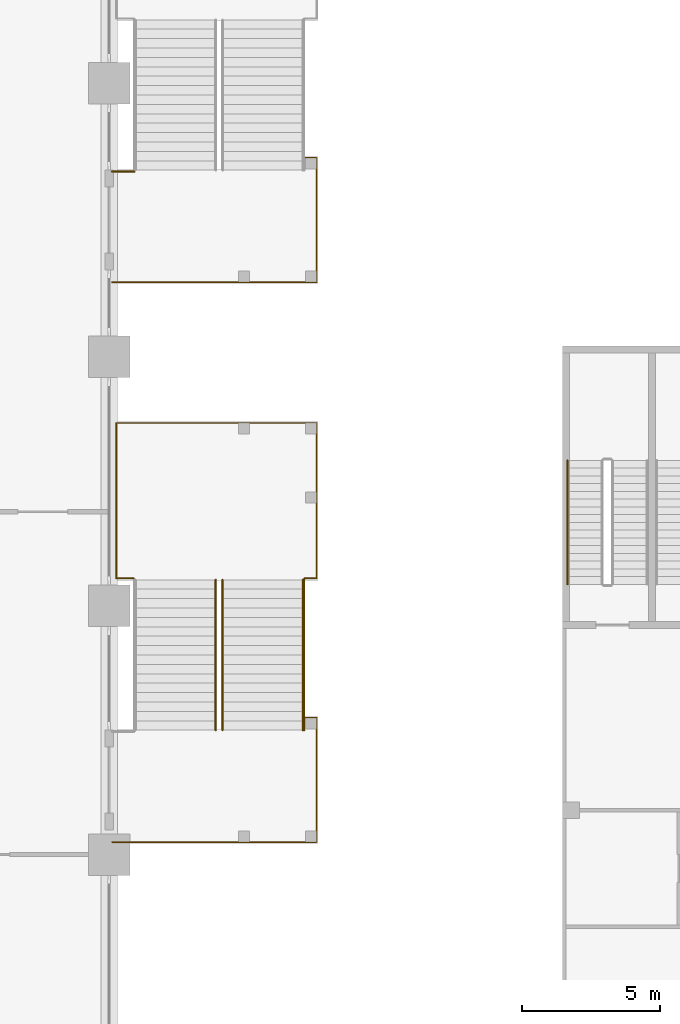
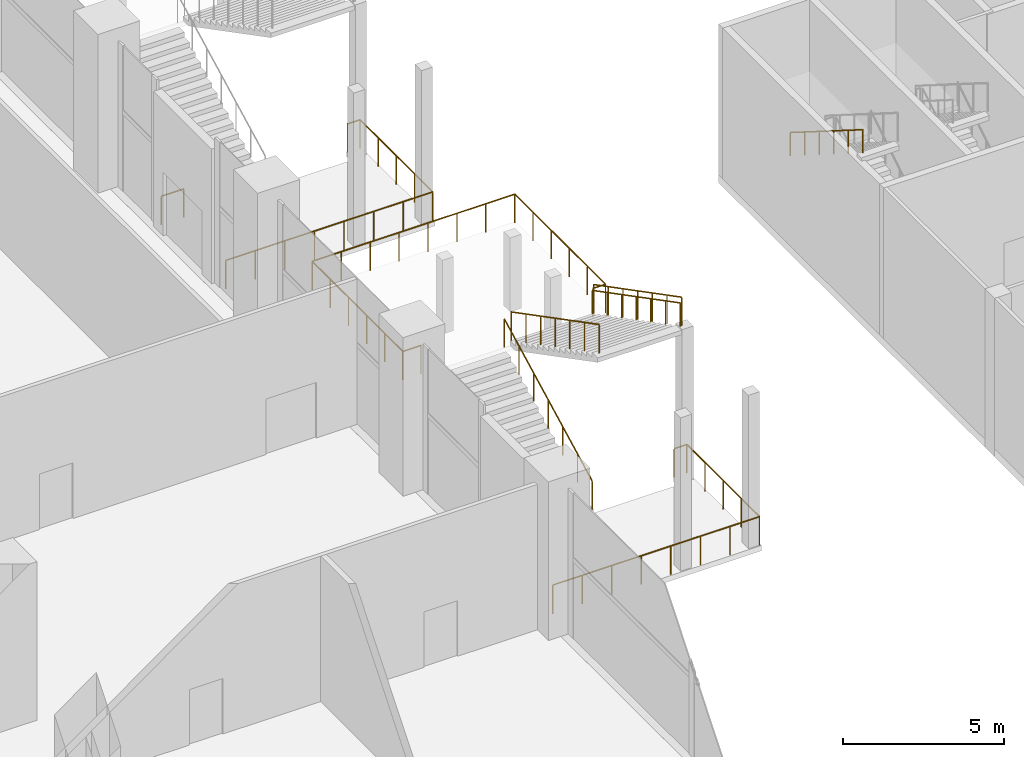
# One storey, part 38 of 47: 9 railings.
"""IFC4 building model written with IfcOpenShell, lengths in metres."""

from ifc_helpers import new_model, si_unit, direction, frame, origin, origin_2d, place, context, subcontext, project, spatial, circle, extrude, material, type_object, element, save


model = new_model("IFC4")

# Units and contexts
model_context = context("Model", 3, precision=1e-05, world=origin(), true_north=direction((0.0, 1.0)))
body_context = subcontext(model_context, "Body", "Model", "MODEL_VIEW")
ifc_project = project(units=[si_unit("LENGTHUNIT", "METRE"), si_unit("AREAUNIT", "SQUARE_METRE"), si_unit("VOLUMEUNIT", "CUBIC_METRE"), si_unit("PLANEANGLEUNIT", "RADIAN"), si_unit("MASSUNIT", "GRAM", prefix="KILO")], contexts=[model_context])

# Site, building, storey
site_placement = place(None, origin())
site = spatial("IfcSite", under=ifc_project, at=site_placement, CompositionType="ELEMENT")
building_placement = place(site_placement, origin())
building = spatial("IfcBuilding", under=site, at=building_placement, Name="Candeia Pilgrim Tower and Theatre", CompositionType="ELEMENT")
storey_placement = place(building_placement, frame((0.0, 0.0, 23.0)))
storey = spatial("IfcBuildingStorey", under=building, at=storey_placement, Name="L03", CompositionType="ELEMENT", Elevation=23.0)

# Railings
ifc_material_1 = material(Name="Steel S355", Category="steel")
railing_type_1 = type_object("IfcRailingType", Name="Handrail 900 steel", PredefinedType="HANDRAIL", material=ifc_material_1)
railing_1_placement = place(storey_placement, frame((176.175048828125, 112.2548828125, 3.176513671875)))
element("IfcRailing", 1, at=railing_1_placement, inside=storey, type_object=railing_type_1, Name="L03 TS1 stair handrail 2", PredefinedType="HANDRAIL", context=body_context, shape_type="SweptSolid", body=[
    extrude(circle(Radius=0.02392578125, at=origin_2d()), frame((0.0, 0.0, 0.8759765625), z_axis=(0.0, -0.845997938375, 0.533186166611), x_axis=(1.0, 0.0, 0.0)), (0.0, 0.0, 1.0), 5.29541015625),
    extrude(circle(Radius=0.02099609375, at=origin_2d()), origin(), (0.0, 0.0, 1.0), 0.851806640625),
    extrude(circle(Radius=0.02099609375, at=origin_2d()), frame((0.0, -0.89599609375, 0.564697265625)), (0.0, 0.0, 1.0), 0.851806640625),
    extrude(circle(Radius=0.02099609375, at=origin_2d()), frame((0.0, -1.7919921875, 1.12939453125)), (0.0, 0.0, 1.0), 0.851806640625),
    extrude(circle(Radius=0.02099609375, at=origin_2d()), frame((0.0, -2.68798828125, 1.694091796875)), (0.0, 0.0, 1.0), 0.851806640625),
    extrude(circle(Radius=0.02099609375, at=origin_2d()), frame((0.0, -3.583984375, 2.2587890625)), (0.0, 0.0, 1.0), 0.851806640625),
    extrude(circle(Radius=0.02099609375, at=origin_2d()), frame((0.0, -4.47998046875, 2.823486328125)), (0.0, 0.0, 1.0), 0.851806640625),
])
ifc_material_2 = material(Name="Stainless steel balustrade", Category="steel")
railing_type_2 = type_object("IfcRailingType", Name="RL-GUARD-1100", PredefinedType="GUARDRAIL", material=ifc_material_2)
railing_2_placement = place(storey_placement, frame((163.449951171875, 102.5, 0.176513671875)))
element("IfcRailing", 2, at=railing_2_placement, inside=storey, type_object=railing_type_2, Name="L03 ES1 stair guard 1", PredefinedType="GUARDRAIL", context=body_context, shape_type="SweptSolid", body=[
    extrude(circle(Radius=0.02392578125, at=origin_2d()), frame((0.0, 0.0, 1.076171875), z_axis=(0.0, 0.887569374008, 0.460674078198), x_axis=(-1.0, 0.0, 0.0)), (0.0, 0.0, 1.0), 6.129150390625),
    extrude(circle(Radius=0.02099609375, at=origin_2d()), origin(), (0.0, 0.0, 1.0), 1.052001953125),
    extrude(circle(Radius=0.02099609375, at=origin_2d()), frame((0.0, 0.90673828125, 0.470703125)), (0.0, 0.0, 1.0), 1.052001953125),
    extrude(circle(Radius=0.02099609375, at=origin_2d()), frame((0.0, 1.813232421875, 0.941162109375)), (0.0, 0.0, 1.0), 1.052001953125),
    extrude(circle(Radius=0.02099609375, at=origin_2d()), frame((0.0, 2.719970703125, 1.41162109375)), (0.0, 0.0, 1.0), 1.052001953125),
    extrude(circle(Radius=0.02099609375, at=origin_2d()), frame((0.0, 3.626708984375, 1.88232421875)), (0.0, 0.0, 1.0), 1.052001953125),
    extrude(circle(Radius=0.02099609375, at=origin_2d()), frame((0.0, 4.533203125, 2.35302734375)), (0.0, 0.0, 1.0), 1.052001953125),
    extrude(circle(Radius=0.02099609375, at=origin_2d()), frame((0.0, 5.43994140625, 2.823486328125)), (0.0, 0.0, 1.0), 1.052001953125),
])
for number, where, name in (
    (3, (163.699951171875, 107.93994140625, 3.176513671875), "L03 ES1 stair guard 2"),
    (4, (166.64990234375, 107.93994140625, 3.176513671875), "L03 ES1 stair guard 4"),
):
    element("IfcRailing", number, at=place(storey_placement, frame(where)), inside=storey, type_object=railing_type_2, Name=name, PredefinedType="GUARDRAIL", context=body_context, shape_type="SweptSolid", body=[
        extrude(circle(Radius=0.02392578125, at=origin_2d()), frame((0.0, 0.0, 1.076171875), z_axis=(0.0, -0.887569374008, 0.460674078198), x_axis=(1.0, 0.0, 0.0)), (0.0, 0.0, 1.0), 6.129150390625),
        extrude(circle(Radius=0.02099609375, at=origin_2d()), origin(), (0.0, 0.0, 1.0), 1.052001953125),
        extrude(circle(Radius=0.02099609375, at=origin_2d()), frame((0.0, -0.90673828125, 0.470703125)), (0.0, 0.0, 1.0), 1.052001953125),
        extrude(circle(Radius=0.02099609375, at=origin_2d()), frame((0.0, -1.813232421875, 0.941162109375)), (0.0, 0.0, 1.0), 1.052001953125),
        extrude(circle(Radius=0.02099609375, at=origin_2d()), frame((0.0, -2.719970703125, 1.41162109375)), (0.0, 0.0, 1.0), 1.052001953125),
        extrude(circle(Radius=0.02099609375, at=origin_2d()), frame((0.0, -3.626708984375, 1.88232421875)), (0.0, 0.0, 1.0), 1.052001953125),
        extrude(circle(Radius=0.02099609375, at=origin_2d()), frame((0.0, -4.533203125, 2.35302734375)), (0.0, 0.0, 1.0), 1.052001953125),
        extrude(circle(Radius=0.02099609375, at=origin_2d()), frame((0.0, -5.43994140625, 2.823486328125)), (0.0, 0.0, 1.0), 1.052001953125),
    ])
railing_3_placement = place(storey_placement, frame((160.5, 107.989990234375, 3.0)))
element("IfcRailing", 5, at=railing_3_placement, inside=storey, type_object=railing_type_2, Name="L03 ES1 stair guard 5", PredefinedType="GUARDRAIL", context=body_context, shape_type="SweptSolid", body=[
    extrude(circle(Radius=0.02392578125, at=origin_2d()), frame((0.0, 0.0, 1.076171875), z_axis=(-1.0, 0.0, 0.0), x_axis=(0.0, -1.0, 0.0)), (0.0, 0.0, 1.0), 0.64990234375),
    extrude(circle(Radius=0.02392578125, at=origin_2d()), frame((-0.64990234375, 0.0, 1.076171875), z_axis=(0.0, 1.0, 0.0), x_axis=(-1.0, 0.0, 0.0)), (0.0, 0.0, 1.0), 5.6201171875),
    extrude(circle(Radius=0.02392578125, at=origin_2d()), frame((-0.64990234375, 5.6201171875, 1.076171875), z_axis=(1.0, 0.0, 0.0), x_axis=(0.0, 1.0, 0.0)), (0.0, 0.0, 1.0), 7.25),
    extrude(circle(Radius=0.02392578125, at=origin_2d()), frame((6.60009765625, 5.6201171875, 1.076171875), z_axis=(0.0, -1.0, 0.0), x_axis=(1.0, 0.0, 0.0)), (0.0, 0.0, 1.0), 5.6201171875),
    extrude(circle(Radius=0.02392578125, at=origin_2d()), frame((6.60009765625, 0.0, 1.076171875), z_axis=(-1.0, 0.0, 0.0), x_axis=(0.0, -1.0, 0.0)), (0.0, 0.0, 1.0), 0.4501953125),
    extrude(circle(Radius=0.02099609375, at=origin_2d()), origin(), (0.0, 0.0, 1.0), 1.052001953125),
    extrude(circle(Radius=0.02099609375, at=origin_2d()), frame((-0.64990234375, 0.0, 0.0)), (0.0, 0.0, 1.0), 1.052001953125),
    extrude(circle(Radius=0.02099609375, at=origin_2d()), frame((-0.64990234375, 1.1240234375, 0.0)), (0.0, 0.0, 1.0), 1.052001953125),
    extrude(circle(Radius=0.02099609375, at=origin_2d()), frame((-0.64990234375, 2.248046875, 0.0)), (0.0, 0.0, 1.0), 1.052001953125),
    extrude(circle(Radius=0.02099609375, at=origin_2d()), frame((-0.64990234375, 3.3720703125, 0.0)), (0.0, 0.0, 1.0), 1.052001953125),
    extrude(circle(Radius=0.02099609375, at=origin_2d()), frame((-0.64990234375, 4.49609375, 0.0)), (0.0, 0.0, 1.0), 1.052001953125),
    extrude(circle(Radius=0.02099609375, at=origin_2d()), frame((-0.64990234375, 5.6201171875, 0.0)), (0.0, 0.0, 1.0), 1.052001953125),
    extrude(circle(Radius=0.02099609375, at=origin_2d()), frame((0.3857421875, 5.6201171875, 0.0)), (0.0, 0.0, 1.0), 1.052001953125),
    extrude(circle(Radius=0.02099609375, at=origin_2d()), frame((1.421630859375, 5.6201171875, 0.0)), (0.0, 0.0, 1.0), 1.052001953125),
    extrude(circle(Radius=0.02099609375, at=origin_2d()), frame((2.457275390625, 5.6201171875, 0.0)), (0.0, 0.0, 1.0), 1.052001953125),
    extrude(circle(Radius=0.02099609375, at=origin_2d()), frame((3.492919921875, 5.6201171875, 0.0)), (0.0, 0.0, 1.0), 1.052001953125),
    extrude(circle(Radius=0.02099609375, at=origin_2d()), frame((4.528564453125, 5.6201171875, 0.0)), (0.0, 0.0, 1.0), 1.052001953125),
    extrude(circle(Radius=0.02099609375, at=origin_2d()), frame((5.564453125, 5.6201171875, 0.0)), (0.0, 0.0, 1.0), 1.052001953125),
    extrude(circle(Radius=0.02099609375, at=origin_2d()), frame((6.60009765625, 5.6201171875, 0.0)), (0.0, 0.0, 1.0), 1.052001953125),
    extrude(circle(Radius=0.02099609375, at=origin_2d()), frame((6.60009765625, 4.49609375, 0.0)), (0.0, 0.0, 1.0), 1.052001953125),
    extrude(circle(Radius=0.02099609375, at=origin_2d()), frame((6.60009765625, 3.3720703125, 0.0)), (0.0, 0.0, 1.0), 1.052001953125),
    extrude(circle(Radius=0.02099609375, at=origin_2d()), frame((6.60009765625, 2.248046875, 0.0)), (0.0, 0.0, 1.0), 1.052001953125),
    extrude(circle(Radius=0.02099609375, at=origin_2d()), frame((6.60009765625, 1.1240234375, 0.0)), (0.0, 0.0, 1.0), 1.052001953125),
    extrude(circle(Radius=0.02099609375, at=origin_2d()), frame((6.60009765625, 0.0, 0.0)), (0.0, 0.0, 1.0), 1.052001953125),
    extrude(circle(Radius=0.02099609375, at=origin_2d()), frame((6.14990234375, 0.0, 0.0)), (0.0, 0.0, 1.0), 1.052001953125),
])
railing_4_placement = place(storey_placement, frame((159.699951171875, 98.449951171875, 0.0)))
element("IfcRailing", 6, at=railing_4_placement, inside=storey, type_object=railing_type_2, Name="L03 External escape stair ES1 landing guard", PredefinedType="GUARDRAIL", context=body_context, shape_type="SweptSolid", body=[
    extrude(circle(Radius=0.02392578125, at=origin_2d()), frame((0.0, 0.0, 1.076171875), z_axis=(1.0, 0.0, 0.0), x_axis=(0.0, 1.0, 0.0)), (0.0, 0.0, 1.0), 7.400146484375),
    extrude(circle(Radius=0.02392578125, at=origin_2d()), frame((7.400146484375, 0.0, 1.076171875), z_axis=(0.0, 1.0, 0.0), x_axis=(-1.0, 0.0, 0.0)), (0.0, 0.0, 1.0), 4.5),
    extrude(circle(Radius=0.02392578125, at=origin_2d()), frame((7.400146484375, 4.5, 1.076171875), z_axis=(-1.0, 0.0, 0.0), x_axis=(0.0, -1.0, 0.0)), (0.0, 0.0, 1.0), 0.4501953125),
    extrude(circle(Radius=0.02099609375, at=origin_2d()), origin(), (0.0, 0.0, 1.0), 1.052001953125),
    extrude(circle(Radius=0.02099609375, at=origin_2d()), frame((1.05712890625, 0.0, 0.0)), (0.0, 0.0, 1.0), 1.052001953125),
    extrude(circle(Radius=0.02099609375, at=origin_2d()), frame((2.1142578125, 0.0, 0.0)), (0.0, 0.0, 1.0), 1.052001953125),
    extrude(circle(Radius=0.02099609375, at=origin_2d()), frame((3.17138671875, 0.0, 0.0)), (0.0, 0.0, 1.0), 1.052001953125),
    extrude(circle(Radius=0.02099609375, at=origin_2d()), frame((4.228759765625, 0.0, 0.0)), (0.0, 0.0, 1.0), 1.052001953125),
    extrude(circle(Radius=0.02099609375, at=origin_2d()), frame((5.285888671875, 0.0, 0.0)), (0.0, 0.0, 1.0), 1.052001953125),
    extrude(circle(Radius=0.02099609375, at=origin_2d()), frame((6.343017578125, 0.0, 0.0)), (0.0, 0.0, 1.0), 1.052001953125),
    extrude(circle(Radius=0.02099609375, at=origin_2d()), frame((7.400146484375, 0.0, 0.0)), (0.0, 0.0, 1.0), 1.052001953125),
    extrude(circle(Radius=0.02099609375, at=origin_2d()), frame((7.400146484375, 1.125, 0.0)), (0.0, 0.0, 1.0), 1.052001953125),
    extrude(circle(Radius=0.02099609375, at=origin_2d()), frame((7.400146484375, 2.25, 0.0)), (0.0, 0.0, 1.0), 1.052001953125),
    extrude(circle(Radius=0.02099609375, at=origin_2d()), frame((7.400146484375, 3.375, 0.0)), (0.0, 0.0, 1.0), 1.052001953125),
    extrude(circle(Radius=0.02099609375, at=origin_2d()), frame((7.400146484375, 4.5, 0.0)), (0.0, 0.0, 1.0), 1.052001953125),
    extrude(circle(Radius=0.02099609375, at=origin_2d()), frame((6.949951171875, 4.5, 0.0)), (0.0, 0.0, 1.0), 1.052001953125),
])
railing_5_placement = place(storey_placement, frame((159.699951171875, 118.699951171875, 0.0)))
element("IfcRailing", 7, at=railing_5_placement, inside=storey, type_object=railing_type_2, Name="L03 External escape stair ES14 landing guard", PredefinedType="GUARDRAIL", context=body_context, shape_type="SweptSolid", body=[
    extrude(circle(Radius=0.02392578125, at=origin_2d()), frame((0.0, 0.0, 1.076171875), z_axis=(1.0, 0.0, 0.0), x_axis=(0.0, 1.0, 0.0)), (0.0, 0.0, 1.0), 7.400146484375),
    extrude(circle(Radius=0.02392578125, at=origin_2d()), frame((7.400146484375, 0.0, 1.076171875), z_axis=(0.0, 1.0, 0.0), x_axis=(-1.0, 0.0, 0.0)), (0.0, 0.0, 1.0), 4.5),
    extrude(circle(Radius=0.02392578125, at=origin_2d()), frame((7.400146484375, 4.5, 1.076171875), z_axis=(-1.0, 0.0, 0.0), x_axis=(0.0, -1.0, 0.0)), (0.0, 0.0, 1.0), 0.4501953125),
    extrude(circle(Radius=0.02099609375, at=origin_2d()), origin(), (0.0, 0.0, 1.0), 1.052001953125),
    extrude(circle(Radius=0.02099609375, at=origin_2d()), frame((1.05712890625, 0.0, 0.0)), (0.0, 0.0, 1.0), 1.052001953125),
    extrude(circle(Radius=0.02099609375, at=origin_2d()), frame((2.1142578125, 0.0, 0.0)), (0.0, 0.0, 1.0), 1.052001953125),
    extrude(circle(Radius=0.02099609375, at=origin_2d()), frame((3.17138671875, 0.0, 0.0)), (0.0, 0.0, 1.0), 1.052001953125),
    extrude(circle(Radius=0.02099609375, at=origin_2d()), frame((4.228759765625, 0.0, 0.0)), (0.0, 0.0, 1.0), 1.052001953125),
    extrude(circle(Radius=0.02099609375, at=origin_2d()), frame((5.285888671875, 0.0, 0.0)), (0.0, 0.0, 1.0), 1.052001953125),
    extrude(circle(Radius=0.02099609375, at=origin_2d()), frame((6.343017578125, 0.0, 0.0)), (0.0, 0.0, 1.0), 1.052001953125),
    extrude(circle(Radius=0.02099609375, at=origin_2d()), frame((7.400146484375, 0.0, 0.0)), (0.0, 0.0, 1.0), 1.052001953125),
    extrude(circle(Radius=0.02099609375, at=origin_2d()), frame((7.400146484375, 1.125, 0.0)), (0.0, 0.0, 1.0), 1.052001953125),
    extrude(circle(Radius=0.02099609375, at=origin_2d()), frame((7.400146484375, 2.25, 0.0)), (0.0, 0.0, 1.0), 1.052001953125),
    extrude(circle(Radius=0.02099609375, at=origin_2d()), frame((7.400146484375, 3.375, 0.0)), (0.0, 0.0, 1.0), 1.052001953125),
    extrude(circle(Radius=0.02099609375, at=origin_2d()), frame((7.400146484375, 4.5, 0.0)), (0.0, 0.0, 1.0), 1.052001953125),
    extrude(circle(Radius=0.02099609375, at=origin_2d()), frame((6.949951171875, 4.5, 0.0)), (0.0, 0.0, 1.0), 1.052001953125),
])
railing_6_placement = place(storey_placement, frame((159.699951171875, 122.699951171875, 0.0)))
element("IfcRailing", 8, at=railing_6_placement, inside=storey, type_object=railing_type_2, Name="L03 External escape stair ES14 bridge guard", PredefinedType="GUARDRAIL", context=body_context, shape_type="SweptSolid", body=[
    extrude(circle(Radius=0.02392578125, at=origin_2d()), frame((0.0, 0.0, 1.076171875), z_axis=(1.0, 0.0, 0.0), x_axis=(0.0, 1.0, 0.0)), (0.0, 0.0, 1.0), 0.800048828125),
    extrude(circle(Radius=0.02099609375, at=origin_2d()), origin(), (0.0, 0.0, 1.0), 1.052001953125),
    extrude(circle(Radius=0.02099609375, at=origin_2d()), frame((0.800048828125, 0.0, 0.0)), (0.0, 0.0, 1.0), 1.052001953125),
])
ifc_material_3 = material(Name="Stainless steel handrail", Category="steel")
railing_type_3 = type_object("IfcRailingType", Name="RL-HANDRAIL-900", PredefinedType="HANDRAIL", material=ifc_material_3)
railing_7_placement = place(storey_placement, frame((166.60009765625, 107.93994140625, 3.176513671875)))
element("IfcRailing", 9, at=railing_7_placement, inside=storey, type_object=railing_type_3, Name="L03 ES1 stair handrail 2", PredefinedType="HANDRAIL", context=body_context, shape_type="SweptSolid", body=[
    extrude(circle(Radius=0.02392578125, at=origin_2d()), frame((0.0, 0.0, 0.8759765625), z_axis=(0.0, -0.887569374008, 0.460674078198), x_axis=(1.0, 0.0, 0.0)), (0.0, 0.0, 1.0), 6.129150390625),
    extrude(circle(Radius=0.02099609375, at=origin_2d()), origin(), (0.0, 0.0, 1.0), 0.851806640625),
    extrude(circle(Radius=0.02099609375, at=origin_2d()), frame((0.0, -0.90673828125, 0.470703125)), (0.0, 0.0, 1.0), 0.851806640625),
    extrude(circle(Radius=0.02099609375, at=origin_2d()), frame((0.0, -1.813232421875, 0.941162109375)), (0.0, 0.0, 1.0), 0.851806640625),
    extrude(circle(Radius=0.02099609375, at=origin_2d()), frame((0.0, -2.719970703125, 1.41162109375)), (0.0, 0.0, 1.0), 0.851806640625),
    extrude(circle(Radius=0.02099609375, at=origin_2d()), frame((0.0, -3.626708984375, 1.88232421875)), (0.0, 0.0, 1.0), 0.851806640625),
    extrude(circle(Radius=0.02099609375, at=origin_2d()), frame((0.0, -4.533203125, 2.35302734375)), (0.0, 0.0, 1.0), 0.851806640625),
    extrude(circle(Radius=0.02099609375, at=origin_2d()), frame((0.0, -5.43994140625, 2.823486328125)), (0.0, 0.0, 1.0), 0.851806640625),
])

save(model, "model.ifc")
